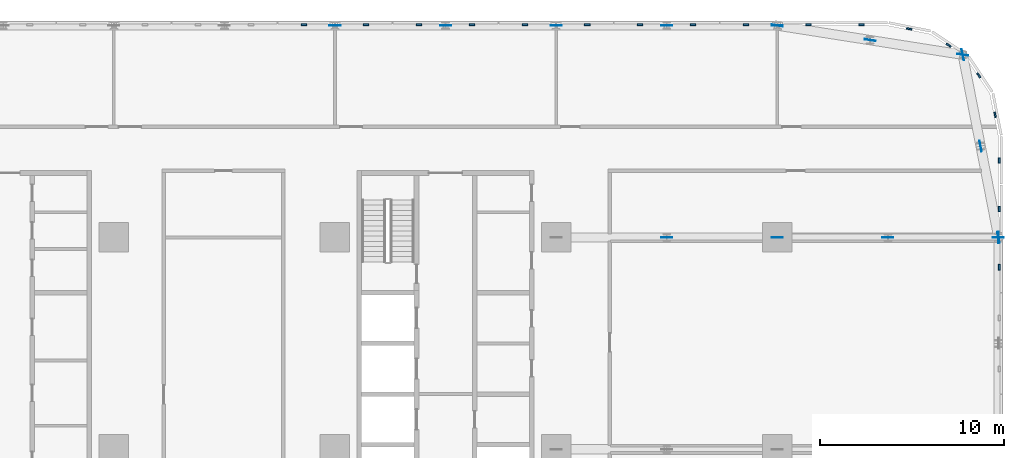
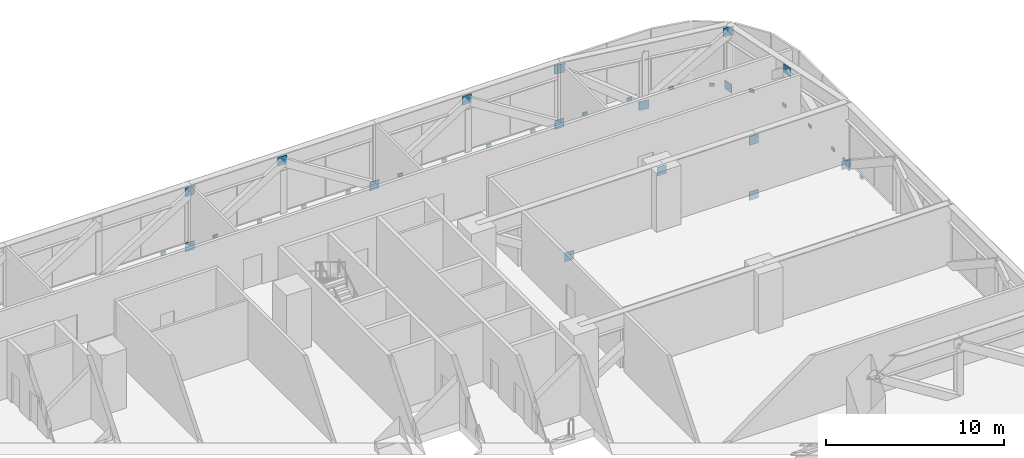
# One storey, part 19 of 25: 36 discrete accessories.
"""IFC4 building model written with IfcOpenShell, lengths in metres."""

from ifc_helpers import new_model, si_unit, direction, frame, origin, origin_2d, place, context, subcontext, project, spatial, rectangle, extrude, material, layer, layer_set, type_object, element, save


model = new_model("IFC4")

# Units and contexts
model_context = context("Model", 3, precision=1e-05, world=origin(), true_north=direction((0.0, 1.0)))
body_context = subcontext(model_context, "Body", "Model", "MODEL_VIEW")
ifc_project = project(units=[si_unit("LENGTHUNIT", "METRE"), si_unit("AREAUNIT", "SQUARE_METRE"), si_unit("VOLUMEUNIT", "CUBIC_METRE"), si_unit("PLANEANGLEUNIT", "RADIAN"), si_unit("MASSUNIT", "GRAM", prefix="KILO")], contexts=[model_context])

# Site, building, storey
site_placement = place(None, origin())
site = spatial("IfcSite", under=ifc_project, at=site_placement, CompositionType="ELEMENT")
building_placement = place(site_placement, origin())
building = spatial("IfcBuilding", under=site, at=building_placement, Name="Mahtab Terrace Research Tower", CompositionType="ELEMENT")
storey_placement = place(building_placement, frame((0.0, 0.0, 41.60009765625)))
storey = spatial("IfcBuildingStorey", under=building, at=storey_placement, Name="L09", CompositionType="ELEMENT", Elevation=41.60009765625)

# Discrete accessories
ifc_material_1 = material(Name="Black anodised aluminium", Category="aluminium")
discrete_accessory_type_1 = type_object("IfcDiscreteAccessoryType", Name="Facade bracket", PredefinedType="BRACKET", material=ifc_material_1)
for number, where, z_axis, x_axis, name in (
    (1, (54.044921875, 9.884033203125, -0.30029296875), (0.0, 0.0, 1.0), (0.0, 1.0, 0.0), "Louvre bracket L09 16"),
    (2, (54.044921875, 13.053466796875, -0.30029296875), (0.0, 0.0, 1.0), (0.0, 1.0, 0.0), "Louvre bracket L09 17"),
    (3, (54.044921875, 15.6845703125, -0.30029296875), (0.0, 0.0, 1.0), (0.0, 1.0, 0.0), "Louvre bracket L09 18"),
    (4, (53.815673828125, 18.15673828125, -0.30029296875), (0.0, 0.0, 1.0), (-0.195212442692, 0.980760981187, 0.0), "Louvre bracket L09 19"),
    (5, (52.930419921875, 20.29443359375, -0.30029296875), (0.0, 0.0, 1.0), (-0.555291490808, 0.831655794326, 0.0), "Louvre bracket L09 20"),
    (6, (51.29443359375, 21.930419921875, -0.30029296875), (0.0, 0.0, 1.0), (-0.831655794326, 0.555291490808, 0.0), "Louvre bracket L09 21"),
    (7, (49.15673828125, 22.815673828125, -0.30029296875), (0.0, 0.0, 1.0), (-0.980760981187, 0.195212442692, 0.0), "Louvre bracket L09 22"),
    (8, (46.562255859375, 23.044921875, -0.30029296875), (0.0, 0.0, 1.0), (-1.0, 0.0, 0.0), "Louvre bracket L09 23"),
    (9, (43.686767578125, 23.044921875, -0.30029296875), (0.0, 0.0, 1.0), (-1.0, 0.0, 0.0), "Louvre bracket L09 24"),
    (10, (40.313232421875, 23.044921875, -0.30029296875), (0.0, 0.0, 1.0), (-1.0, 0.0, 0.0), "Louvre bracket L09 25"),
    (11, (37.437744140625, 23.044921875, -0.30029296875), (0.0, 0.0, 1.0), (-1.0, 0.0, 0.0), "Louvre bracket L09 26"),
    (12, (34.562255859375, 23.044921875, -0.30029296875), (0.0, 0.0, 1.0), (-1.0, 0.0, 0.0), "Louvre bracket L09 27"),
    (13, (31.686767578125, 23.044921875, -0.30029296875), (0.0, 0.0, 1.0), (-1.0, 0.0, 0.0), "Louvre bracket L09 28"),
    (14, (28.313232421875, 23.044921875, -0.30029296875), (0.0, 0.0, 1.0), (-1.0, 0.0, 0.0), "Louvre bracket L09 29"),
    (15, (25.437744140625, 23.044921875, -0.30029296875), (0.0, 0.0, 1.0), (-1.0, 0.0, 0.0), "Louvre bracket L09 30"),
    (16, (22.562255859375, 23.044921875, -0.30029296875), (0.0, 0.0, 1.0), (-1.0, 0.0, 0.0), "Louvre bracket L09 31"),
    (17, (19.686767578125, 23.044921875, -0.30029296875), (0.0, 0.0, 1.0), (-1.0, 0.0, 0.0), "Louvre bracket L09 32"),
    (18, (16.313232421875, 23.044921875, -0.30029296875), (0.0, 0.0, 1.0), (-1.0, 0.0, 0.0), "Louvre bracket L09 33"),
):
    element("IfcDiscreteAccessory", number, at=place(storey_placement, frame(where, z_axis=z_axis, x_axis=x_axis)), inside=storey, type_object=discrete_accessory_type_1, Name=name, PredefinedType="BRACKET", context=body_context, shape_type="SweptSolid", body=[
        extrude(rectangle(XDim=0.300048828125, YDim=0.090087890625, at=origin_2d()), origin(), (0.0, 0.0, 1.0), 0.199951171875),
    ])
ifc_material_2 = material(Name="Steel ASTM A992 Gr 50", Category="steel")
ifc_layer = layer(ifc_material_2, 0.030029296875)
ifc_layer_set = layer_set([ifc_layer], Name="Gusset plate 600x600x30")
discrete_accessory_type_2 = type_object("IfcDiscreteAccessoryType", Name="Gusset plate 600x600x30", PredefinedType="USERDEFINED", material=ifc_layer_set)
for number, where, z_axis, x_axis, name in (
    (19, (18.0, 23.0, -0.575927734375), (0.0, 0.0, 1.0), (1.0, 0.0, 0.0), "Gusset plate"),
    (20, (18.0, 23.0, 3.201171875), (0.0, 0.0, 1.0), (1.0, 0.0, 0.0), "Gusset plate"),
    (21, (24.0, 23.0, 3.201171875), (0.0, 0.0, 1.0), (1.0, 0.0, 0.0), "Gusset plate"),
    (22, (30.0, 23.0, -0.575927734375), (0.0, 0.0, 1.0), (1.0, 0.0, 0.0), "Gusset plate"),
    (23, (36.0, 11.5, -0.575927734375), (0.0, 0.0, 1.0), (1.0, 0.0, 0.0), "Gusset plate"),
    (24, (36.0, 23.0, 3.201171875), (0.0, 0.0, 1.0), (1.0, 0.0, 0.0), "Gusset plate"),
    (25, (42.0, 11.5, 3.201171875), (0.0, 0.0, 1.0), (1.0, 0.0, 0.0), "Gusset plate"),
    (26, (42.0, 23.0, -0.575927734375), (0.0, 0.0, 1.0), (1.0, 0.0, 0.0), "Gusset plate"),
    (27, (48.0, 11.5, -0.575927734375), (0.0, 0.0, 1.0), (1.0, 0.0, 0.0), "Gusset plate"),
    (28, (48.0, 11.5, 3.201171875), (0.0, 0.0, 1.0), (1.0, 0.0, 0.0), "Gusset plate"),
    (29, (54.0, 11.5, -0.575927734375), (0.0, 0.0, 1.0), (1.0, 0.0, 0.0), "Gusset plate"),
    (30, (54.0, 11.5, -0.575927734375), (0.0, 0.0, 1.0), (0.0, 1.0, 0.0), "Gusset plate"),
    (31, (52.06201171875, 21.416015625, -0.575927734375), (0.0, 0.0, 1.0), (-0.19181971899, 0.981430178569, 0.0), "Gusset plate"),
    (32, (53.031005859375, 16.4580078125, 3.201171875), (0.0, 0.0, 1.0), (-0.19181971899, 0.981430178569, 0.0), "Gusset plate"),
    (33, (54.0, 11.5, -0.575927734375), (0.0, 0.0, 1.0), (-0.19181971899, 0.981430178569, 0.0), "Gusset plate"),
    (34, (42.0, 23.0, 3.201171875), (0.0, 0.0, 1.0), (-0.987835337919, 0.15550352137, 0.0), "Gusset plate"),
    (35, (47.031005859375, 22.2080078125, -0.575927734375), (0.0, 0.0, 1.0), (-0.987835337919, 0.15550352137, 0.0), "Gusset plate"),
    (36, (52.06201171875, 21.416015625, 3.201171875), (0.0, 0.0, 1.0), (-0.987835337919, 0.15550352137, 0.0), "Gusset plate"),
):
    element("IfcDiscreteAccessory", number, at=place(storey_placement, frame(where, z_axis=z_axis, x_axis=x_axis)), inside=storey, type_object=discrete_accessory_type_2, Name=name, ObjectType="GUSSET PLATE", PredefinedType="USERDEFINED", context=body_context, shape_type="SweptSolid", body=[
        extrude(rectangle(XDim=0.60009765625, YDim=0.030029296875, at=origin_2d()), origin(), (0.0, 0.0, 1.0), 0.60009765625),
    ])

save(model, "model.ifc")
